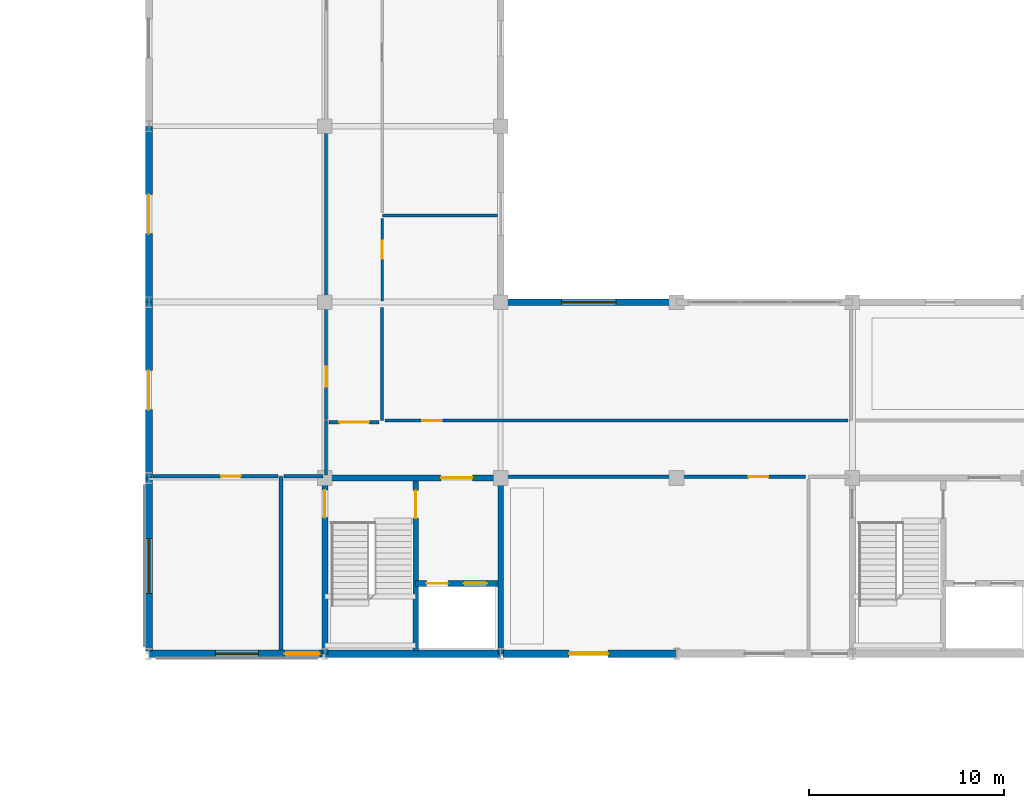
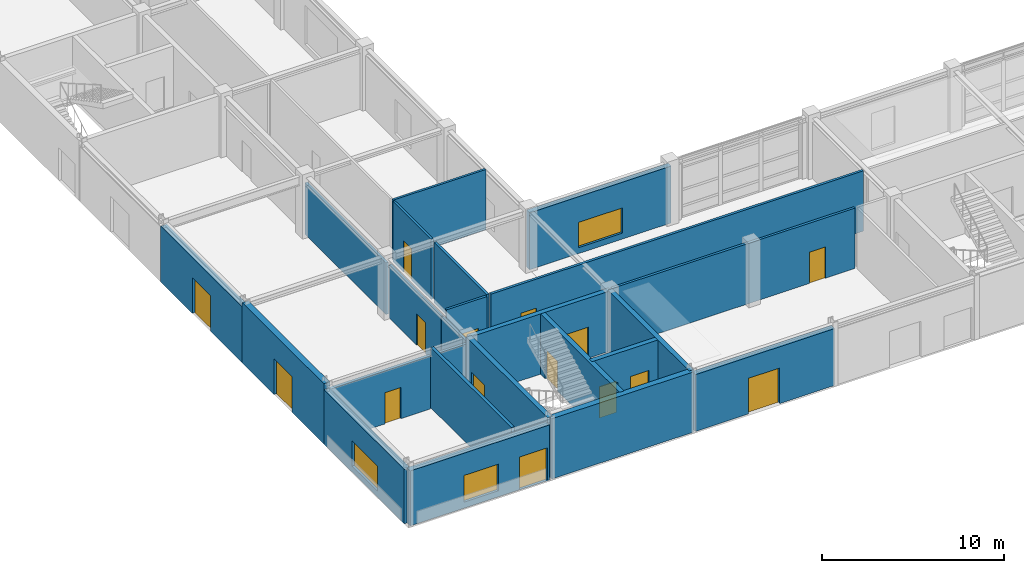
# One storey, part 55 of 72: 24 walls, 15 doors, 3 windows, 18 openings.
"""IFC4 building model written with IfcOpenShell, lengths in metres."""

from ifc_helpers import new_model, si_unit, direction, frame, frame_2d, origin, place, context, subcontext, project, spatial, rectangle, extrude, material, layer, layer_set, type_object, element, fill, save


model = new_model("IFC4")

# Units and contexts
model_context = context("Model", 3, precision=1e-05, world=origin(), true_north=direction((0.0, 1.0)))
body_context = subcontext(model_context, "Body", "Model", "MODEL_VIEW")
ifc_project = project(units=[si_unit("LENGTHUNIT", "METRE"), si_unit("AREAUNIT", "SQUARE_METRE"), si_unit("VOLUMEUNIT", "CUBIC_METRE"), si_unit("PLANEANGLEUNIT", "RADIAN"), si_unit("MASSUNIT", "GRAM", prefix="KILO")], contexts=[model_context])

# Site, building, storey
site_placement = place(None, origin())
site = spatial("IfcSite", under=ifc_project, at=site_placement, CompositionType="ELEMENT")
building_placement = place(site_placement, origin())
building = spatial("IfcBuilding", under=site, at=building_placement, Name="Palais des Congres Ocreval", CompositionType="ELEMENT")
storey_placement = place(building_placement, origin())
storey = spatial("IfcBuildingStorey", under=building, at=storey_placement, Name="L00", CompositionType="ELEMENT", Elevation=0.0)

# Wall
ifc_material_1 = material(Name="Moisture-resistant gypsum board")
ifc_layer_1 = layer(ifc_material_1, 0.139892578125)
ifc_layer_set_1 = layer_set([ifc_layer_1], Name="Bathroom Plumbing Chase Wall 140 Gypsum (Moisture-resistant gypsum board)")
wall_type_1 = type_object("IfcWallType", Name="Bathroom Plumbing Chase Wall 140 Gypsum", PredefinedType="PLUMBINGWALL", material=ifc_layer_set_1)
wall_1_placement = place(storey_placement, frame((11.93994140625, 22.43505859375, 0.0), z_axis=(0.0, 0.0, 1.0), x_axis=(1.0, 0.0, 0.0)))
element("IfcWall", 1, at=wall_1_placement, inside=storey, type_object=wall_type_1, Name="Interior Partition PW03 L00", PredefinedType="PLUMBINGWALL", context=body_context, shape_type="SweptSolid", body=[
    extrude(rectangle(XDim=5.885009765625, YDim=0.139892578125, at=frame_2d((2.9423828125, 0.0))), origin(), (0.0, 0.0, 1.0), 4.054931640625),
])

# Wall, opening, door
wall_2_placement = place(storey_placement, frame((11.93505859375, 18.070068359375, 0.0), z_axis=(0.0, 0.0, 1.0), x_axis=(0.0, 1.0, 0.0)))
wall_2 = element("IfcWall", 2, at=wall_2_placement, inside=storey, type_object=wall_type_1, Name="Interior Partition PW03 L00", PredefinedType="PLUMBINGWALL", context=body_context, shape_type="SweptSolid", body=[
    extrude(rectangle(XDim=4.2099609375, YDim=0.139892578125, at=frame_2d((2.10498046875, 0.0))), origin(), (0.0, 0.0, 1.0), 4.054931640625),
])
opening_1_placement = place(wall_2_placement, frame((2.16015625, 0.0, 0.0)))
opening_1 = element("IfcOpeningElement", 3, at=opening_1_placement, cuts=wall_2, Name="Opening D09", PredefinedType="OPENING", context=body_context, shape_type="SweptSolid", body=[
    extrude(rectangle(XDim=0.89990234375, YDim=2.10009765625, at=frame_2d((0.449951171875, 1.050048828125))), frame((0.0, 0.079833984375, 0.0), z_axis=(0.0, -1.0, 0.0), x_axis=(1.0, 0.0, 0.0)), (0.0, 0.0, 1.0), 0.159912109375),
])
ifc_material_2 = material(Name="Solid French oak", Category="wood")
door_type_1 = type_object("IfcDoorType", Name="Accessible Restroom Door 900x2100", OperationType="NOTDEFINED", PredefinedType="DOOR", material=ifc_material_2)
door_1_placement = place(opening_1_placement, origin())
door_1 = element("IfcDoor", 4, at=door_1_placement, inside=storey, type_object=door_type_1, Name="Interior Door D09 L00", OperationType="SINGLE_SWING_LEFT", OverallHeight=2.10009765625, OverallWidth=0.89990234375, PredefinedType="DOOR", context=body_context, shape_type="SweptSolid", body=[
    extrude(rectangle(XDim=0.89990234375, YDim=2.10009765625, at=frame_2d((0.449951171875, 1.050048828125))), frame((0.0, 0.02490234375, 0.0), z_axis=(0.0, -1.0, 0.0), x_axis=(1.0, 0.0, 0.0)), (0.0, 0.0, 1.0), 0.050048828125),
])
fill(opening_1, door_1)

# Wall
ifc_material_3 = material(Name="Gypsum acoustic fire board")
ifc_layer_2 = layer(ifc_material_3, 0.199951171875)
ifc_layer_set_2 = layer_set([ifc_layer_2], Name="Compartment Fire Partition 200 Gypsum (Gypsum acoustic fire board)")
wall_type_2 = type_object("IfcWallType", Name="Compartment Fire Partition 200 Gypsum", PredefinedType="PARTITIONING", material=ifc_layer_set_2)
wall_3_placement = place(storey_placement, frame((6.75, 0.195068359375, 0.0), z_axis=(0.0, 0.0, 1.0), x_axis=(0.0, 1.0, 0.0)))
element("IfcWall", 5, at=wall_3_placement, inside=storey, type_object=wall_type_2, Name="Interior Partition IW01 L00", PredefinedType="PARTITIONING", context=body_context, shape_type="SweptSolid", body=[
    extrude(rectangle(XDim=8.885009765625, YDim=0.199951171875, at=frame_2d((4.4423828125, 0.0))), origin(), (0.0, 0.0, 1.0), 4.054931640625),
])

# Wall, opening, door
wall_4_placement = place(storey_placement, frame((0.195068359375, 9.090087890625, 0.0), z_axis=(0.0, 0.0, 1.0), x_axis=(1.0, 0.0, 0.0)))
wall_4 = element("IfcWall", 6, at=wall_4_placement, inside=storey, type_object=wall_type_2, Name="Interior Partition IW01 L00", PredefinedType="PARTITIONING", context=body_context, shape_type="SweptSolid", body=[
    extrude(rectangle(XDim=6.39990234375, YDim=0.199951171875, at=frame_2d((3.199951171875, 0.0))), origin(), (0.0, 0.0, 1.0), 3.554931640625),
])
opening_2_placement = place(wall_4_placement, frame((3.5, 0.0, 0.0)))
opening_2 = element("IfcOpeningElement", 7, at=opening_2_placement, cuts=wall_4, Name="Opening D10", PredefinedType="OPENING", context=body_context, shape_type="SweptSolid", body=[
    extrude(rectangle(XDim=1.0, YDim=2.10009765625, at=frame_2d((0.5, 1.050048828125))), frame((0.0, 0.10986328125, 0.0), z_axis=(0.0, -1.0, 0.0), x_axis=(1.0, 0.0, 0.0)), (0.0, 0.0, 1.0), 0.219970703125),
])
ifc_material_4 = material(Name="Painted steel", Category="steel")
door_type_2 = type_object("IfcDoorType", Name="Service and Pantry Door 1000x2100", OperationType="NOTDEFINED", PredefinedType="DOOR", material=ifc_material_4)
door_2_placement = place(opening_2_placement, origin())
door_2 = element("IfcDoor", 8, at=door_2_placement, inside=storey, type_object=door_type_2, Name="Interior Door D10 L00", OperationType="SINGLE_SWING_RIGHT", OverallHeight=2.10009765625, OverallWidth=1.0, PredefinedType="DOOR", context=body_context, shape_type="SweptSolid", body=[
    extrude(rectangle(XDim=1.0, YDim=2.10009765625, at=frame_2d((0.5, 1.050048828125))), frame((0.0, 0.02490234375, 0.0), z_axis=(0.0, -1.0, 0.0), x_axis=(1.0, 0.0, 0.0)), (0.0, 0.0, 1.0), 0.050048828125),
])
fill(opening_2, door_2)

# Wall
ifc_material_5 = material(Name="Concrete C40/50", Category="concrete")
ifc_layer_3 = layer(ifc_material_5, 0.300048828125)
ifc_layer_set_3 = layer_set([ifc_layer_3], Name="Core Shear Wall 300 Concrete C40/50")
wall_type_3 = type_object("IfcWallType", Name="Core Shear Wall 300 Concrete C40/50", PredefinedType="SHEAR", material=ifc_layer_set_3)
wall_5_placement = place(storey_placement, frame((18.0, 0.0, 0.0), z_axis=(0.0, 0.0, 1.0), x_axis=(0.0, 1.0, 0.0)))
element("IfcWall", 9, at=wall_5_placement, inside=storey, type_object=wall_type_3, Name="Core Shear Wall SC01 L00 E", PredefinedType="SHEAR", context=body_context, shape_type="SweptSolid", body=[
    extrude(rectangle(XDim=9.0, YDim=0.300048828125, at=frame_2d((4.5, 0.0))), origin(), (0.0, 0.0, 1.0), 4.054931640625),
])

# Wall, opening, door
wall_6_placement = place(storey_placement, frame((9.0, 9.0, 0.0), z_axis=(0.0, 0.0, 1.0), x_axis=(1.0, 0.0, 0.0)))
wall_6 = element("IfcWall", 10, at=wall_6_placement, inside=storey, type_object=wall_type_3, Name="Core Shear Wall SC01 L00 N", PredefinedType="SHEAR", context=body_context, shape_type="SweptSolid", body=[
    extrude(rectangle(XDim=9.0, YDim=0.300048828125, at=frame_2d((4.5, 0.0))), origin(), (0.0, 0.0, 1.0), 4.054931640625),
])
opening_3_placement = place(wall_6_placement, frame((5.949951171875, 0.0, 0.0)))
opening_3 = element("IfcOpeningElement", 11, at=opening_3_placement, cuts=wall_6, Name="Opening D02", PredefinedType="OPENING", context=body_context, shape_type="SweptSolid", body=[
    extrude(rectangle(XDim=1.60009765625, YDim=2.10009765625, at=frame_2d((0.800048828125, 1.050048828125))), frame((0.0, 0.159912109375, 0.0), z_axis=(0.0, -1.0, 0.0), x_axis=(1.0, 0.0, 0.0)), (0.0, 0.0, 1.0), 0.320068359375),
])
ifc_material_6 = material(Name="Painted fire-rated steel", Category="steel")
door_type_3 = type_object("IfcDoorType", Name="Firefighting Lobby Rated Door 1600x2100", OperationType="NOTDEFINED", PredefinedType="DOOR", material=ifc_material_6)
door_3_placement = place(opening_3_placement, origin())
door_3 = element("IfcDoor", 12, at=door_3_placement, inside=storey, type_object=door_type_3, Name="Firefighting Lobby Entrance Door SC01 L00", OperationType="DOUBLE_DOOR_SINGLE_SWING", OverallHeight=2.10009765625, OverallWidth=1.60009765625, PredefinedType="DOOR", context=body_context, shape_type="SweptSolid", body=[
    extrude(rectangle(XDim=1.60009765625, YDim=2.10009765625, at=frame_2d((0.800048828125, 1.050048828125))), frame((0.0, 0.02490234375, 0.0), z_axis=(0.0, -1.0, 0.0), x_axis=(1.0, 0.0, 0.0)), (0.0, 0.0, 1.0), 0.050048828125),
])
fill(opening_3, door_3)

wall_7_placement = place(storey_placement, frame((9.0, 0.0, 0.0), z_axis=(0.0, 0.0, 1.0), x_axis=(0.0, 1.0, 0.0)))
wall_7 = element("IfcWall", 13, at=wall_7_placement, inside=storey, type_object=wall_type_3, Name="Core Shear Wall SC01 L00 W", PredefinedType="SHEAR", context=body_context, shape_type="SweptSolid", body=[
    extrude(rectangle(XDim=9.0, YDim=0.300048828125, at=frame_2d((4.5, 0.0))), origin(), (0.0, 0.0, 1.0), 4.054931640625),
])
opening_4_placement = place(wall_7_placement, frame((6.97509765625, 0.0, 0.0)))
opening_4 = element("IfcOpeningElement", 14, at=opening_4_placement, cuts=wall_7, Name="Opening D03", PredefinedType="OPENING", context=body_context, shape_type="SweptSolid", body=[
    extrude(rectangle(XDim=1.39990234375, YDim=2.02001953125, at=frame_2d((0.699951171875, 1.010009765625))), frame((0.0, 0.159912109375, 0.0), z_axis=(0.0, -1.0, 0.0), x_axis=(1.0, 0.0, 0.0)), (0.0, 0.0, 1.0), 0.320068359375),
])
door_type_4 = type_object("IfcDoorType", Name="Core Lobby Rated Door 1400x2020", OperationType="NOTDEFINED", PredefinedType="DOOR", material=ifc_material_6)
door_4_placement = place(opening_4_placement, origin())
door_4 = element("IfcDoor", 15, at=door_4_placement, inside=storey, type_object=door_type_4, Name="Exit Passage Stair Door ST01 L00", OperationType="SINGLE_SWING_RIGHT", OverallHeight=2.02001953125, OverallWidth=1.39990234375, PredefinedType="DOOR", context=body_context, shape_type="SweptSolid", body=[
    extrude(rectangle(XDim=1.39990234375, YDim=2.02001953125, at=frame_2d((0.699951171875, 1.010009765625))), frame((0.0, 0.02490234375, 0.0), z_axis=(0.0, -1.0, 0.0), x_axis=(1.0, 0.0, 0.0)), (0.0, 0.0, 1.0), 0.050048828125),
])
fill(opening_4, door_4)

wall_8_placement = place(storey_placement, frame((13.64990234375, 0.14990234375, 0.0), z_axis=(0.0, 0.0, 1.0), x_axis=(0.0, 1.0, 0.0)))
wall_8 = element("IfcWall", 16, at=wall_8_placement, inside=storey, type_object=wall_type_3, Name="Core Spine Shear Wall SC01 L00", PredefinedType="SHEAR", context=body_context, shape_type="SweptSolid", body=[
    extrude(rectangle(XDim=8.7001953125, YDim=0.300048828125, at=frame_2d((4.35009765625, 0.0))), origin(), (0.0, 0.0, 1.0), 4.054931640625),
])
opening_5_placement = place(wall_8_placement, frame((6.800048828125, 0.0, 0.0)))
opening_5 = element("IfcOpeningElement", 17, at=opening_5_placement, cuts=wall_8, Name="Opening D03", PredefinedType="OPENING", context=body_context, shape_type="SweptSolid", body=[
    extrude(rectangle(XDim=1.39990234375, YDim=2.02001953125, at=frame_2d((0.699951171875, 1.010009765625))), frame((0.0, 0.159912109375, 0.0), z_axis=(0.0, -1.0, 0.0), x_axis=(1.0, 0.0, 0.0)), (0.0, 0.0, 1.0), 0.320068359375),
])
door_5_placement = place(opening_5_placement, origin())
door_5 = element("IfcDoor", 18, at=door_5_placement, inside=storey, type_object=door_type_4, Name="Protected Exit Stair Door ST01 L00", OperationType="SINGLE_SWING_LEFT", OverallHeight=2.02001953125, OverallWidth=1.39990234375, PredefinedType="DOOR", context=body_context, shape_type="SweptSolid", body=[
    extrude(rectangle(XDim=1.39990234375, YDim=2.02001953125, at=frame_2d((0.699951171875, 1.010009765625))), frame((0.0, 0.02490234375, 0.0), z_axis=(0.0, -1.0, 0.0), x_axis=(1.0, 0.0, 0.0)), (0.0, 0.0, 1.0), 0.050048828125),
])
fill(opening_5, door_5)

# Wall, openings, doors
wall_9_placement = place(storey_placement, frame((13.64990234375, 3.60009765625, 0.0), z_axis=(0.0, 0.0, 1.0), x_axis=(1.0, 0.0, 0.0)))
wall_9 = element("IfcWall", 19, at=wall_9_placement, inside=storey, type_object=wall_type_3, Name="Lift Shaft Front Wall SC01 L00", PredefinedType="SHEAR", context=body_context, shape_type="SweptSolid", body=[
    extrude(rectangle(XDim=4.2001953125, YDim=0.300048828125, at=frame_2d((2.10009765625, 0.0))), origin(), (0.0, 0.0, 1.0), 4.054931640625),
])
opening_6_placement = place(wall_9_placement, frame((0.550048828125, 0.0, 0.0)))
opening_6 = element("IfcOpeningElement", 20, at=opening_6_placement, cuts=wall_9, Name="Opening LD01", PredefinedType="OPENING", context=body_context, shape_type="SweptSolid", body=[
    extrude(rectangle(XDim=1.10009765625, YDim=2.10009765625, at=frame_2d((0.550048828125, 1.050048828125))), frame((0.0, 0.159912109375, 0.0), z_axis=(0.0, -1.0, 0.0), x_axis=(1.0, 0.0, 0.0)), (0.0, 0.0, 1.0), 0.320068359375),
])
opening_7_placement = place(wall_9_placement, frame((2.449951171875, 0.0, 0.0)))
opening_7 = element("IfcOpeningElement", 21, at=opening_7_placement, cuts=wall_9, Name="Opening LD02", PredefinedType="OPENING", context=body_context, shape_type="SweptSolid", body=[
    extrude(rectangle(XDim=1.199951171875, YDim=2.199951171875, at=frame_2d((0.60009765625, 1.10009765625))), frame((0.0, 0.159912109375, 0.0), z_axis=(0.0, -1.0, 0.0), x_axis=(1.0, 0.0, 0.0)), (0.0, 0.0, 1.0), 0.320068359375),
])
ifc_material_7 = material(Name="Stainless steel", Category="steel")
door_type_5 = type_object("IfcDoorType", Name="Firefighting Lift Sliding Landing Door 1100x2100", OperationType="NOTDEFINED", PredefinedType="DOOR", material=ifc_material_7)
door_6_placement = place(opening_6_placement, origin())
door_6 = element("IfcDoor", 22, at=door_6_placement, inside=storey, type_object=door_type_5, Name="Lift Landing Sliding Door FF1 L00", OperationType="DOUBLE_DOOR_SLIDING", OverallHeight=2.10009765625, OverallWidth=1.10009765625, PredefinedType="DOOR", context=body_context, shape_type="SweptSolid", body=[
    extrude(rectangle(XDim=1.10009765625, YDim=2.10009765625, at=frame_2d((0.550048828125, 1.050048828125))), frame((0.0, 0.02490234375, 0.0), z_axis=(0.0, -1.0, 0.0), x_axis=(1.0, 0.0, 0.0)), (0.0, 0.0, 1.0), 0.050048828125),
])
fill(opening_6, door_6)
ifc_material_8 = material(Name="Anodized bronze steel", Category="steel")
door_type_6 = type_object("IfcDoorType", Name="Passenger and Service Lift Sliding Door 1200x2200", OperationType="NOTDEFINED", PredefinedType="DOOR", material=ifc_material_8)
door_7_placement = place(opening_7_placement, origin())
door_7 = element("IfcDoor", 23, at=door_7_placement, inside=storey, type_object=door_type_6, Name="Lift Landing Sliding Door PL1 L00", OperationType="DOUBLE_DOOR_SLIDING", OverallHeight=2.199951171875, OverallWidth=1.199951171875, PredefinedType="DOOR", context=body_context, shape_type="SweptSolid", body=[
    extrude(rectangle(XDim=1.199951171875, YDim=2.199951171875, at=frame_2d((0.60009765625, 1.10009765625))), frame((0.0, 0.02490234375, 0.0), z_axis=(0.0, -1.0, 0.0), x_axis=(1.0, 0.0, 0.0)), (0.0, 0.0, 1.0), 0.050048828125),
])
fill(opening_7, door_7)

# Walls
ifc_material_9 = material(Name="Gypsum acoustic partition")
ifc_layer_4 = layer(ifc_material_9, 0.159912109375)
ifc_layer_set_4 = layer_set([ifc_layer_4], Name="Corridor Fire Partition 160 Gypsum (Gypsum acoustic partition)")
wall_type_4 = type_object("IfcWallType", Name="Corridor Fire Partition 160 Gypsum", PredefinedType="PARTITIONING", material=ifc_layer_set_4)
wall_10_placement = place(storey_placement, frame((9.06494140625, 9.155029296875, 0.0), z_axis=(0.0, 0.0, 1.0), x_axis=(0.0, 1.0, 0.0)))
element("IfcWall", 24, at=wall_10_placement, inside=storey, type_object=wall_type_4, Name="Interior Partition IW03 L00", PredefinedType="PARTITIONING", context=body_context, shape_type="SweptSolid", body=[
    extrude(rectangle(XDim=2.77490234375, YDim=0.159912109375, at=frame_2d((1.387451171875, 0.0))), origin(), (0.0, 0.0, 1.0), 3.56494140625),
])
wall_11_placement = place(storey_placement, frame((11.93505859375, 11.93994140625, 0.0), z_axis=(0.0, 0.0, 1.0), x_axis=(0.0, 1.0, 0.0)))
element("IfcWall", 25, at=wall_11_placement, inside=storey, type_object=wall_type_4, Name="Interior Partition IW03 L00", PredefinedType="PARTITIONING", context=body_context, shape_type="SweptSolid", body=[
    extrude(rectangle(XDim=5.7900390625, YDim=0.159912109375, at=frame_2d((2.89501953125, 0.0))), origin(), (0.0, 0.0, 1.0), 4.054931640625),
])
wall_12_placement = place(storey_placement, frame((6.905029296875, 9.090087890625, 0.0), z_axis=(0.0, 0.0, 1.0), x_axis=(1.0, 0.0, 0.0)))
element("IfcWall", 26, at=wall_12_placement, inside=storey, type_object=wall_type_4, Name="Interior Partition IW03 L00", PredefinedType="PARTITIONING", context=body_context, shape_type="SweptSolid", body=[
    extrude(rectangle(XDim=2.0048828125, YDim=0.159912109375, at=frame_2d((1.00244140625, 0.0))), origin(), (0.0, 0.0, 1.0), 3.554931640625),
])

# Wall, opening, door
wall_13_placement = place(storey_placement, frame((9.219970703125, 11.85009765625, 0.0), z_axis=(0.0, 0.0, 1.0), x_axis=(1.0, 0.0, 0.0)))
wall_13 = element("IfcWall", 27, at=wall_13_placement, inside=storey, type_object=wall_type_4, Name="Interior Partition IW03 L00", PredefinedType="PARTITIONING", context=body_context, shape_type="SweptSolid", body=[
    extrude(rectangle(XDim=2.56005859375, YDim=0.159912109375, at=frame_2d((1.280029296875, 0.0))), origin(), (0.0, 0.0, 1.0), 4.054931640625),
])
opening_8_placement = place(wall_13_placement, frame((0.530029296875, 0.0, 0.0)))
opening_8 = element("IfcOpeningElement", 28, at=opening_8_placement, cuts=wall_13, Name="Opening D04", PredefinedType="OPENING", context=body_context, shape_type="SweptSolid", body=[
    extrude(rectangle(XDim=1.5, YDim=2.10009765625, at=frame_2d((0.75, 1.050048828125))), frame((0.0, 0.08984375, 0.0), z_axis=(0.0, -1.0, 0.0), x_axis=(1.0, 0.0, 0.0)), (0.0, 0.0, 1.0), 0.179931640625),
])
ifc_material_10 = material(Name="Solid French oak fire door", Category="wood")
door_type_7 = type_object("IfcDoorType", Name="Corridor Compartment Double Door 1500x2100", OperationType="NOTDEFINED", PredefinedType="DOOR", material=ifc_material_10)
door_8_placement = place(opening_8_placement, origin())
door_8 = element("IfcDoor", 29, at=door_8_placement, inside=storey, type_object=door_type_7, Name="Interior Door D04 L00", OperationType="DOUBLE_DOOR_SINGLE_SWING", OverallHeight=2.10009765625, OverallWidth=1.5, PredefinedType="DOOR", context=body_context, shape_type="SweptSolid", body=[
    extrude(rectangle(XDim=1.5, YDim=2.10009765625, at=frame_2d((0.75, 1.050048828125))), frame((0.0, 0.02490234375, 0.0), z_axis=(0.0, -1.0, 0.0), x_axis=(1.0, 0.0, 0.0)), (0.0, 0.0, 1.0), 0.050048828125),
])
fill(opening_8, door_8)

wall_14_placement = place(storey_placement, frame((18.155029296875, 9.06494140625, 0.0), z_axis=(0.0, 0.0, 1.0), x_axis=(1.0, 0.0, 0.0)))
wall_14 = element("IfcWall", 30, at=wall_14_placement, inside=storey, type_object=wall_type_4, Name="Interior Partition IW03 L00", PredefinedType="PARTITIONING", context=body_context, shape_type="SweptSolid", body=[
    extrude(rectangle(XDim=15.43994140625, YDim=0.159912109375, at=frame_2d((7.719970703125, 0.0))), origin(), (0.0, 0.0, 1.0), 4.054931640625),
])
opening_9_placement = place(wall_14_placement, frame((12.5400390625, 0.0, 0.0)))
opening_9 = element("IfcOpeningElement", 31, at=opening_9_placement, cuts=wall_14, Name="Opening D10", PredefinedType="OPENING", context=body_context, shape_type="SweptSolid", body=[
    extrude(rectangle(XDim=1.0, YDim=2.10009765625, at=frame_2d((0.5, 1.050048828125))), frame((0.0, 0.08984375, 0.0), z_axis=(0.0, -1.0, 0.0), x_axis=(1.0, 0.0, 0.0)), (0.0, 0.0, 1.0), 0.179931640625),
])
door_9_placement = place(opening_9_placement, origin())
door_9 = element("IfcDoor", 32, at=door_9_placement, inside=storey, type_object=door_type_2, Name="Interior Door D10 L00", OperationType="SINGLE_SWING_LEFT", OverallHeight=2.10009765625, OverallWidth=1.0, PredefinedType="DOOR", context=body_context, shape_type="SweptSolid", body=[
    extrude(rectangle(XDim=1.0, YDim=2.10009765625, at=frame_2d((0.5, 1.050048828125))), frame((0.0, 0.02490234375, 0.0), z_axis=(0.0, -1.0, 0.0), x_axis=(1.0, 0.0, 0.0)), (0.0, 0.0, 1.0), 0.050048828125),
])
fill(opening_9, door_9)

wall_15_placement = place(storey_placement, frame((12.090087890625, 11.93505859375, 0.0), z_axis=(0.0, 0.0, 1.0), x_axis=(1.0, 0.0, 0.0)))
wall_15 = element("IfcWall", 33, at=wall_15_placement, inside=storey, type_object=wall_type_4, Name="Interior Partition IW03 L00", PredefinedType="PARTITIONING", context=body_context, shape_type="SweptSolid", body=[
    extrude(rectangle(XDim=23.68994140625, YDim=0.159912109375, at=frame_2d((11.844970703125, 0.0))), origin(), (0.0, 0.0, 1.0), 4.054931640625),
])
opening_10_placement = place(wall_15_placement, frame((1.89990234375, 0.0, 0.0)))
opening_10 = element("IfcOpeningElement", 34, at=opening_10_placement, cuts=wall_15, Name="Opening D10", PredefinedType="OPENING", context=body_context, shape_type="SweptSolid", body=[
    extrude(rectangle(XDim=1.0, YDim=2.10009765625, at=frame_2d((0.5, 1.050048828125))), frame((0.0, 0.08984375, 0.0), z_axis=(0.0, -1.0, 0.0), x_axis=(1.0, 0.0, 0.0)), (0.0, 0.0, 1.0), 0.179931640625),
])
door_10_placement = place(opening_10_placement, origin())
door_10 = element("IfcDoor", 35, at=door_10_placement, inside=storey, type_object=door_type_2, Name="Interior Door D10 L00", OperationType="SINGLE_SWING_RIGHT", OverallHeight=2.10009765625, OverallWidth=1.0, PredefinedType="DOOR", context=body_context, shape_type="SweptSolid", body=[
    extrude(rectangle(XDim=1.0, YDim=2.10009765625, at=frame_2d((0.5, 1.050048828125))), frame((0.0, 0.02490234375, 0.0), z_axis=(0.0, -1.0, 0.0), x_axis=(1.0, 0.0, 0.0)), (0.0, 0.0, 1.0), 0.050048828125),
])
fill(opening_10, door_10)

wall_16_placement = place(storey_placement, frame((9.06494140625, 12.0048828125, 0.0), z_axis=(0.0, 0.0, 1.0), x_axis=(0.0, 1.0, 0.0)))
wall_16 = element("IfcWall", 36, at=wall_16_placement, inside=storey, type_object=wall_type_4, Name="Interior Partition IW03 L00", PredefinedType="PARTITIONING", context=body_context, shape_type="SweptSolid", body=[
    extrude(rectangle(XDim=5.72509765625, YDim=0.159912109375, at=frame_2d((2.862548828125, 0.0))), origin(), (0.0, 0.0, 1.0), 3.56494140625),
])
opening_11_placement = place(wall_16_placement, frame((1.675537109375, 0.0, 0.0)))
opening_11 = element("IfcOpeningElement", 37, at=opening_11_placement, cuts=wall_16, Name="Opening D10", PredefinedType="OPENING", context=body_context, shape_type="SweptSolid", body=[
    extrude(rectangle(XDim=1.0, YDim=2.10009765625, at=frame_2d((0.5, 1.050048828125))), frame((0.0, 0.08984375, 0.0), z_axis=(0.0, -1.0, 0.0), x_axis=(1.0, 0.0, 0.0)), (0.0, 0.0, 1.0), 0.179931640625),
])
door_11_placement = place(opening_11_placement, origin())
door_11 = element("IfcDoor", 38, at=door_11_placement, inside=storey, type_object=door_type_2, Name="Interior Door D10 L00", OperationType="SINGLE_SWING_RIGHT", OverallHeight=2.10009765625, OverallWidth=1.0, PredefinedType="DOOR", context=body_context, shape_type="SweptSolid", body=[
    extrude(rectangle(XDim=1.0, YDim=2.10009765625, at=frame_2d((0.5, 1.050048828125))), frame((0.0, 0.02490234375, 0.0), z_axis=(0.0, -1.0, 0.0), x_axis=(1.0, 0.0, 0.0)), (0.0, 0.0, 1.0), 0.050048828125),
])
fill(opening_11, door_11)

# Wall
wall_17_placement = place(storey_placement, frame((9.06494140625, 18.070068359375, 0.0), z_axis=(0.0, 0.0, 1.0), x_axis=(0.0, 1.0, 0.0)))
element("IfcWall", 39, at=wall_17_placement, inside=storey, type_object=wall_type_4, Name="Interior Partition IW03 L00", PredefinedType="PARTITIONING", context=body_context, shape_type="SweptSolid", body=[
    extrude(rectangle(XDim=8.909912109375, YDim=0.159912109375, at=frame_2d((4.455078125, 0.0))), origin(), (0.0, 0.0, 1.0), 3.465087890625),
])

# Wall, opening, door
ifc_layer_5 = layer(ifc_material_5, 0.3798828125)
ifc_layer_set_5 = layer_set([ifc_layer_5], Name="Lutetian Limestone Street Wall 380 Concrete C40/50")
wall_type_5 = type_object("IfcWallType", Name="Lutetian Limestone Street Wall 380 Concrete C40/50", PredefinedType="SOLIDWALL", material=ifc_layer_set_5)
wall_18_placement = place(storey_placement, frame((27.0, 0.0, 0.0), z_axis=(0.0, 0.0, 1.0), x_axis=(-1.0, 0.0, 0.0)))
wall_18 = element("IfcWall", 40, at=wall_18_placement, inside=storey, type_object=wall_type_5, Name="Exterior Wall EW03 L00", PredefinedType="SOLIDWALL", context=body_context, shape_type="SweptSolid", body=[
    extrude(rectangle(XDim=8.8701171875, YDim=0.3798828125, at=frame_2d((4.43505859375, 0.0))), origin(), (0.0, 0.0, 1.0), 3.824951171875),
])
opening_12_placement = place(wall_18_placement, frame((3.5, 0.0, 0.0)))
opening_12 = element("IfcOpeningElement", 41, at=opening_12_placement, cuts=wall_18, Name="Opening ED01", PredefinedType="OPENING", context=body_context, shape_type="SweptSolid", body=[
    extrude(rectangle(XDim=2.0, YDim=2.39990234375, at=frame_2d((1.0, 1.199951171875))), frame((0.0, 0.199951171875, 0.0), z_axis=(0.0, -1.0, 0.0), x_axis=(1.0, 0.0, 0.0)), (0.0, 0.0, 1.0), 0.39990234375),
])
ifc_material_11 = material(Name="Anodized bronze aluminium and safety glass", Category="aluminium")
door_type_8 = type_object("IfcDoorType", Name="Main Street Pedestrian Exit Door 2000x2400", OperationType="NOTDEFINED", PredefinedType="DOOR", material=ifc_material_11)
door_12_placement = place(opening_12_placement, origin())
door_12 = element("IfcDoor", 42, at=door_12_placement, inside=storey, type_object=door_type_8, Name="Pedestrian Final Exit Door E04", OperationType="DOUBLE_DOOR_SINGLE_SWING", OverallHeight=2.39990234375, OverallWidth=2.0, PredefinedType="DOOR", context=body_context, shape_type="SweptSolid", body=[
    extrude(rectangle(XDim=2.0, YDim=2.39990234375, at=frame_2d((1.0, 1.199951171875))), frame((0.0, 0.02490234375, 0.0), z_axis=(0.0, -1.0, 0.0), x_axis=(1.0, 0.0, 0.0)), (0.0, 0.0, 1.0), 0.050048828125),
])
fill(opening_12, door_12)

# Wall
wall_19_placement = place(storey_placement, frame((18.0, 0.0, 0.0), z_axis=(0.0, 0.0, 1.0), x_axis=(-1.0, 0.0, 0.0)))
element("IfcWall", 43, at=wall_19_placement, inside=storey, type_object=wall_type_5, Name="Core Perimeter Shear Wall EW03 SC01 L00", PredefinedType="SOLIDWALL", context=body_context, shape_type="SweptSolid", body=[
    extrude(rectangle(XDim=9.0, YDim=0.3798828125, at=frame_2d((4.5, 0.0))), origin(), (0.0, 0.0, 1.0), 4.054931640625),
])

# Wall, openings, window, door
wall_20_placement = place(storey_placement, frame((8.8701171875, 0.0, 0.0), z_axis=(0.0, 0.0, 1.0), x_axis=(-1.0, 0.0, 0.0)))
wall_20 = element("IfcWall", 44, at=wall_20_placement, inside=storey, type_object=wall_type_5, Name="Exterior Wall EW03 L00", PredefinedType="SOLIDWALL", context=body_context, shape_type="SweptSolid", body=[
    extrude(rectangle(XDim=8.8701171875, YDim=0.3798828125, at=frame_2d((4.43505859375, 0.0))), origin(), (0.0, 0.0, 1.0), 3.695068359375),
])
opening_13_placement = place(wall_20_placement, frame((0.1298828125, 0.0, 0.0)))
opening_13 = element("IfcOpeningElement", 45, at=opening_13_placement, cuts=wall_20, Name="Opening ED04", PredefinedType="OPENING", context=body_context, shape_type="SweptSolid", body=[
    extrude(rectangle(XDim=1.800048828125, YDim=2.199951171875, at=frame_2d((0.89990234375, 1.10009765625))), frame((0.0, 0.199951171875, 0.0), z_axis=(0.0, -1.0, 0.0), x_axis=(1.0, 0.0, 0.0)), (0.0, 0.0, 1.0), 0.39990234375),
])
opening_14_placement = place(wall_20_placement, frame((3.27001953125, 0.0, 0.39990234375)))
opening_14 = element("IfcOpeningElement", 46, at=opening_14_placement, cuts=wall_20, Name="Opening WN13", PredefinedType="OPENING", context=body_context, shape_type="SweptSolid", body=[
    extrude(rectangle(XDim=2.199951171875, YDim=1.800048828125, at=frame_2d((1.10009765625, 0.89990234375))), frame((0.0, 0.199951171875, 0.0), z_axis=(0.0, -1.0, 0.0), x_axis=(1.0, 0.0, 0.0)), (0.0, 0.0, 1.0), 0.39990234375),
])
ifc_material_12 = material(Name="Anodized bronze aluminium and low-E glass", Category="glass")
window_type_1 = type_object("IfcWindowType", Name="Seminar Facade Window 2200x1800", PartitioningType="SINGLE_PANEL", PredefinedType="WINDOW", material=ifc_material_12)
window_1_placement = place(opening_14_placement, origin())
window_1 = element("IfcWindow", 47, at=window_1_placement, inside=storey, type_object=window_type_1, Name="Facade Window WN13", OverallHeight=1.800048828125, OverallWidth=2.199951171875, PartitioningType="SINGLE_PANEL", PredefinedType="WINDOW", context=body_context, shape_type="SweptSolid", body=[
    extrude(rectangle(XDim=2.199951171875, YDim=1.800048828125, at=frame_2d((1.10009765625, 0.89990234375))), frame((0.0, 0.030029296875, 0.0), z_axis=(0.0, -1.0, 0.0), x_axis=(1.0, 0.0, 0.0)), (0.0, 0.0, 1.0), 0.06005859375),
])
fill(opening_14, window_1)
door_type_9 = type_object("IfcDoorType", Name="Stair Street Discharge Door 1800x2200", OperationType="NOTDEFINED", PredefinedType="DOOR", material=ifc_material_11)
door_13_placement = place(opening_13_placement, origin())
door_13 = element("IfcDoor", 48, at=door_13_placement, inside=storey, type_object=door_type_9, Name="Exit Passage Final Exit Discharge Door ST01", OperationType="DOUBLE_DOOR_SINGLE_SWING", OverallHeight=2.199951171875, OverallWidth=1.800048828125, PredefinedType="DOOR", context=body_context, shape_type="SweptSolid", body=[
    extrude(rectangle(XDim=1.800048828125, YDim=2.199951171875, at=frame_2d((0.89990234375, 1.10009765625))), frame((0.0, 0.02490234375, 0.0), z_axis=(0.0, -1.0, 0.0), x_axis=(1.0, 0.0, 0.0)), (0.0, 0.0, 1.0), 0.050048828125),
])
fill(opening_13, door_13)

# Wall, opening, window
wall_21_placement = place(storey_placement, frame((0.0, 0.155029296875, 0.0), z_axis=(0.0, 0.0, 1.0), x_axis=(0.0, 1.0, 0.0)))
wall_21 = element("IfcWall", 49, at=wall_21_placement, inside=storey, type_object=wall_type_5, Name="Exterior Wall EW03 L00", PredefinedType="SOLIDWALL", context=body_context, shape_type="SweptSolid", body=[
    extrude(rectangle(XDim=8.844970703125, YDim=0.3798828125, at=frame_2d((4.42236328125, 0.0))), origin(), (0.0, 0.0, 1.0), 3.655029296875),
])
opening_15_placement = place(wall_21_placement, frame((2.945068359375, 0.0, 0.39990234375)))
opening_15 = element("IfcOpeningElement", 50, at=opening_15_placement, cuts=wall_21, Name="Opening WN14", PredefinedType="OPENING", context=body_context, shape_type="SweptSolid", body=[
    extrude(rectangle(XDim=2.800048828125, YDim=1.699951171875, at=frame_2d((1.39990234375, 0.85009765625))), frame((0.0, 0.199951171875, 0.0), z_axis=(0.0, -1.0, 0.0), x_axis=(1.0, 0.0, 0.0)), (0.0, 0.0, 1.0), 0.39990234375),
])
window_type_2 = type_object("IfcWindowType", Name="Boardroom Ribbon Window 2800x1700", PartitioningType="SINGLE_PANEL", PredefinedType="WINDOW", material=ifc_material_12)
window_2_placement = place(opening_15_placement, origin())
window_2 = element("IfcWindow", 51, at=window_2_placement, inside=storey, type_object=window_type_2, Name="Facade Window WN14", OverallHeight=1.699951171875, OverallWidth=2.800048828125, PartitioningType="SINGLE_PANEL", PredefinedType="WINDOW", context=body_context, shape_type="SweptSolid", body=[
    extrude(rectangle(XDim=2.800048828125, YDim=1.699951171875, at=frame_2d((1.39990234375, 0.85009765625))), frame((0.0, 0.030029296875, 0.0), z_axis=(0.0, -1.0, 0.0), x_axis=(1.0, 0.0, 0.0)), (0.0, 0.0, 1.0), 0.06005859375),
])
fill(opening_15, window_2)

# Wall, opening, door
wall_22_placement = place(storey_placement, frame((0.0, 9.0, 0.0), z_axis=(0.0, 0.0, 1.0), x_axis=(0.0, 1.0, 0.0)))
wall_22 = element("IfcWall", 52, at=wall_22_placement, inside=storey, type_object=wall_type_5, Name="Exterior Wall EW03 L00", PredefinedType="SOLIDWALL", context=body_context, shape_type="SweptSolid", body=[
    extrude(rectangle(XDim=9.0, YDim=0.3798828125, at=frame_2d((4.5, 0.0))), origin(), (0.0, 0.0, 1.0), 4.054931640625),
])
opening_16_placement = place(wall_22_placement, frame((3.5, 0.0, 0.0)))
opening_16 = element("IfcOpeningElement", 53, at=opening_16_placement, cuts=wall_22, Name="Opening ED01", PredefinedType="OPENING", context=body_context, shape_type="SweptSolid", body=[
    extrude(rectangle(XDim=2.0, YDim=2.39990234375, at=frame_2d((1.0, 1.199951171875))), frame((0.0, 0.199951171875, 0.0), z_axis=(0.0, -1.0, 0.0), x_axis=(1.0, 0.0, 0.0)), (0.0, 0.0, 1.0), 0.39990234375),
])
door_14_placement = place(opening_16_placement, origin())
door_14 = element("IfcDoor", 54, at=door_14_placement, inside=storey, type_object=door_type_8, Name="Pedestrian Final Exit Door E05", OperationType="DOUBLE_DOOR_SINGLE_SWING", OverallHeight=2.39990234375, OverallWidth=2.0, PredefinedType="DOOR", context=body_context, shape_type="SweptSolid", body=[
    extrude(rectangle(XDim=2.0, YDim=2.39990234375, at=frame_2d((1.0, 1.199951171875))), frame((0.0, 0.02490234375, 0.0), z_axis=(0.0, -1.0, 0.0), x_axis=(1.0, 0.0, 0.0)), (0.0, 0.0, 1.0), 0.050048828125),
])
fill(opening_16, door_14)

wall_23_placement = place(storey_placement, frame((0.0, 18.0, 0.0), z_axis=(0.0, 0.0, 1.0), x_axis=(0.0, 1.0, 0.0)))
wall_23 = element("IfcWall", 55, at=wall_23_placement, inside=storey, type_object=wall_type_5, Name="Exterior Wall EW03 L00", PredefinedType="SOLIDWALL", context=body_context, shape_type="SweptSolid", body=[
    extrude(rectangle(XDim=9.0, YDim=0.3798828125, at=frame_2d((4.5, 0.0))), origin(), (0.0, 0.0, 1.0), 3.7548828125),
])
opening_17_placement = place(wall_23_placement, frame((3.5, 0.0, 0.0)))
opening_17 = element("IfcOpeningElement", 56, at=opening_17_placement, cuts=wall_23, Name="Opening ED01", PredefinedType="OPENING", context=body_context, shape_type="SweptSolid", body=[
    extrude(rectangle(XDim=2.0, YDim=2.39990234375, at=frame_2d((1.0, 1.199951171875))), frame((0.0, 0.199951171875, 0.0), z_axis=(0.0, -1.0, 0.0), x_axis=(1.0, 0.0, 0.0)), (0.0, 0.0, 1.0), 0.39990234375),
])
door_15_placement = place(opening_17_placement, origin())
door_15 = element("IfcDoor", 57, at=door_15_placement, inside=storey, type_object=door_type_8, Name="Pedestrian Final Exit Door E06", OperationType="DOUBLE_DOOR_SINGLE_SWING", OverallHeight=2.39990234375, OverallWidth=2.0, PredefinedType="DOOR", context=body_context, shape_type="SweptSolid", body=[
    extrude(rectangle(XDim=2.0, YDim=2.39990234375, at=frame_2d((1.0, 1.199951171875))), frame((0.0, 0.02490234375, 0.0), z_axis=(0.0, -1.0, 0.0), x_axis=(1.0, 0.0, 0.0)), (0.0, 0.0, 1.0), 0.050048828125),
])
fill(opening_17, door_15)

# Wall, opening, window
ifc_layer_6 = layer(ifc_material_5, 0.340087890625)
ifc_layer_set_6 = layer_set([ifc_layer_6], Name="Ochre Mineral-Lime Courtyard Wall 340 Concrete C40/50")
wall_type_6 = type_object("IfcWallType", Name="Ochre Mineral-Lime Courtyard Wall 340 Concrete C40/50", PredefinedType="SOLIDWALL", material=ifc_layer_set_6)
wall_24_placement = place(storey_placement, frame((18.0, 18.0, 0.0), z_axis=(0.0, 0.0, 1.0), x_axis=(1.0, 0.0, 0.0)))
wall_24 = element("IfcWall", 58, at=wall_24_placement, inside=storey, type_object=wall_type_6, Name="Exterior Wall EW04 L00", PredefinedType="SOLIDWALL", context=body_context, shape_type="SweptSolid", body=[
    extrude(rectangle(XDim=9.0, YDim=0.340087890625, at=frame_2d((4.5, 0.0))), origin(), (0.0, 0.0, 1.0), 3.824951171875),
])
opening_18_placement = place(wall_24_placement, frame((3.10009765625, 0.0, 0.39990234375)))
opening_18 = element("IfcOpeningElement", 59, at=opening_18_placement, cuts=wall_24, Name="Opening WN14", PredefinedType="OPENING", context=body_context, shape_type="SweptSolid", body=[
    extrude(rectangle(XDim=2.800048828125, YDim=1.699951171875, at=frame_2d((1.39990234375, 0.85009765625))), frame((0.0, 0.179931640625, 0.0), z_axis=(0.0, -1.0, 0.0), x_axis=(1.0, 0.0, 0.0)), (0.0, 0.0, 1.0), 0.360107421875),
])
window_3_placement = place(opening_18_placement, origin())
window_3 = element("IfcWindow", 60, at=window_3_placement, inside=storey, type_object=window_type_2, Name="Facade Window WN14", OverallHeight=1.699951171875, OverallWidth=2.800048828125, PartitioningType="SINGLE_PANEL", PredefinedType="WINDOW", context=body_context, shape_type="SweptSolid", body=[
    extrude(rectangle(XDim=2.800048828125, YDim=1.699951171875, at=frame_2d((1.39990234375, 0.85009765625))), frame((0.0, 0.030029296875, 0.0), z_axis=(0.0, -1.0, 0.0), x_axis=(1.0, 0.0, 0.0)), (0.0, 0.0, 1.0), 0.06005859375),
])
fill(opening_18, window_3)

save(model, "model.ifc")
